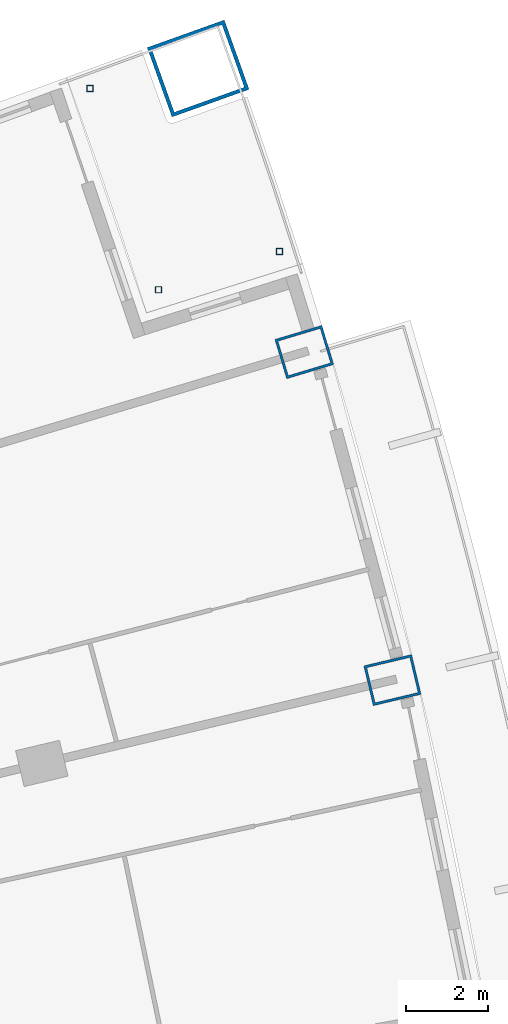
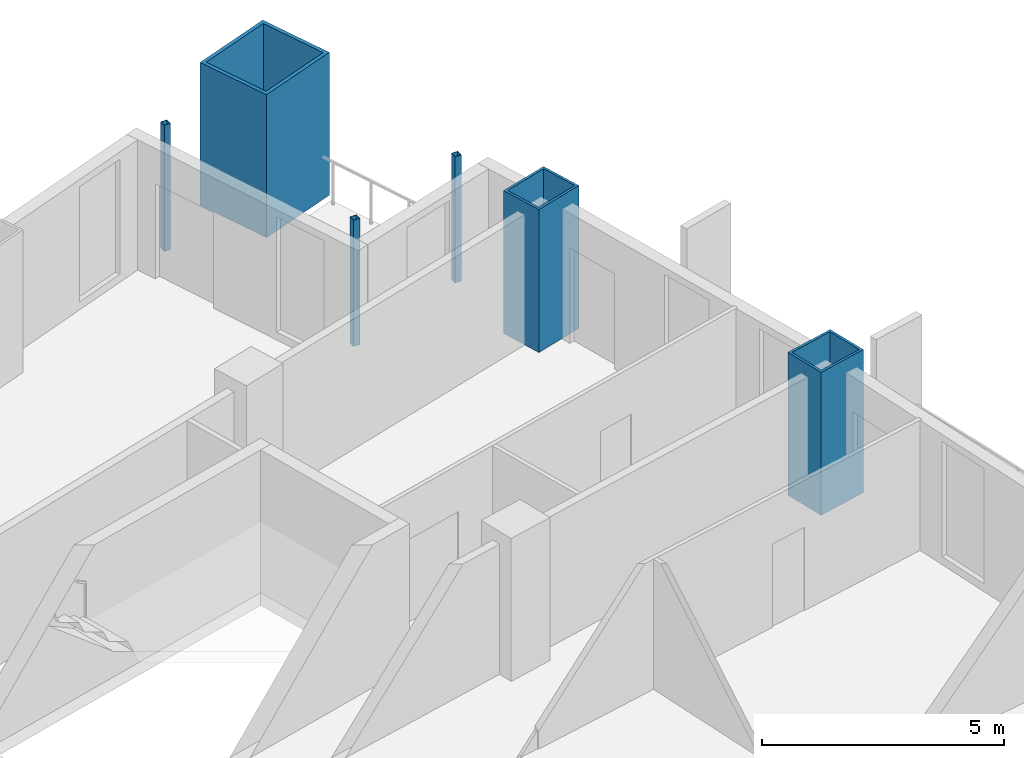
# One storey, part 11 of 25: 6 columns.
"""IFC4 building model written with IfcOpenShell, lengths in metres."""

from ifc_helpers import new_model, si_unit, direction, frame, origin, origin_2d, place, context, subcontext, project, spatial, hollow_rectangle, extrude, material, material_profile, profile_set, type_object, element, save


model = new_model("IFC4")

# Units and contexts
model_context = context("Model", 3, precision=1e-05, world=origin(), true_north=direction((0.0, 1.0)))
body_context = subcontext(model_context, "Body", "Model", "MODEL_VIEW")
ifc_project = project(units=[si_unit("LENGTHUNIT", "METRE"), si_unit("AREAUNIT", "SQUARE_METRE"), si_unit("VOLUMEUNIT", "CUBIC_METRE"), si_unit("PLANEANGLEUNIT", "RADIAN"), si_unit("MASSUNIT", "GRAM", prefix="KILO")], contexts=[model_context])

# Site, building, storey
site_placement = place(None, origin())
site = spatial("IfcSite", under=ifc_project, at=site_placement, CompositionType="ELEMENT")
building_placement = place(site_placement, origin())
building = spatial("IfcBuilding", under=site, at=building_placement, Name="Alderwake Tower", CompositionType="ELEMENT")
storey_placement = place(building_placement, frame((0.0, 0.0, 68.0)))
storey = spatial("IfcBuildingStorey", under=building, at=storey_placement, Name="L16", CompositionType="ELEMENT", Elevation=68.0)

# Columns
ifc_material_1 = material(Name="Steel ASTM A500 Grade C", Category="steel")
ifc_material_profile_1 = material_profile(ifc_material_1, hollow_rectangle(XDim=0.15234375, YDim=0.15234375, WallThickness=0.0087890625, at=origin_2d()), Name="HSS6X6X3/8")
ifc_profile_set_1 = profile_set([ifc_material_profile_1], Name="Steel ASTM A500 Grade C")
column_type_1 = type_object("IfcColumnType", Name="Light post HSS6X6X3/8", PredefinedType="COLUMN", material=ifc_profile_set_1)
for number, where, z_axis, x_axis, name in (
    (1, (55.590087890625, 104.34521484375, 0.0), (0.0, 0.0, 1.0), (1.0, 0.0, 0.0), "Terrace post FN1"),
    (2, (50.961181640625, 108.32568359375, 0.0), (0.0, 0.0, 1.0), (1.0, 0.0, 0.0), "Terrace post FN2"),
    (3, (52.634521484375, 103.41064453125, 0.0), (0.0, 0.0, 1.0), (1.0, 0.0, 0.0), "Terrace post FN3"),
):
    element("IfcColumn", number, at=place(storey_placement, frame(where, z_axis=z_axis, x_axis=x_axis)), inside=storey, type_object=column_type_1, Name=name, PredefinedType="COLUMN", context=body_context, shape_type="SweptSolid", body=[
        extrude(hollow_rectangle(XDim=0.15234375, YDim=0.15234375, WallThickness=0.0087890625, at=origin_2d()), origin(), (0.0, 0.0, 1.0), 3.179931640625),
    ])
ifc_material_2 = material(Name="Steel ASTM A572 Grade 50 concrete filled C70/85", Category="concrete")
ifc_material_profile_2 = material_profile(ifc_material_2, hollow_rectangle(XDim=1.800048828125, YDim=2.0, WallThickness=0.090087890625, at=origin_2d()), Name="BOX 2000X1800X90")
ifc_profile_set_2 = profile_set([ifc_material_profile_2], Name="Steel ASTM A572 Grade 50 concrete filled C70/85")
column_type_2 = type_object("IfcColumnType", Name="Mega column Z1", PredefinedType="COLUMN", material=ifc_profile_set_2)
column_placement = place(storey_placement, frame((53.602294921875, 108.8125, 0.0), z_axis=(0.0, 0.0, 1.0), x_axis=(-0.336945725149, 0.941524072079, 0.0)))
element("IfcColumn", 4, at=column_placement, inside=storey, type_object=column_type_2, Name="Column R13-C5", PredefinedType="COLUMN", context=body_context, shape_type="SweptSolid", body=[
    extrude(hollow_rectangle(XDim=1.800048828125, YDim=2.0, WallThickness=0.090087890625, at=origin_2d()), origin(), (0.0, 0.0, 1.0), 3.60009765625),
])
ifc_material_3 = material(Name="Steel ASTM A572 Grade 50 concrete filled C70/85", Category="concrete")
ifc_material_profile_3 = material_profile(ifc_material_3, hollow_rectangle(XDim=1.0, YDim=1.199951171875, WallThickness=0.06005859375, at=origin_2d()), Name="BOX 1200X1000X60")
ifc_profile_set_3 = profile_set([ifc_material_profile_3], Name="Steel ASTM A572 Grade 50 concrete filled C70/85")
column_type_3 = type_object("IfcColumnType", Name="Perimeter column Z1", PredefinedType="COLUMN", material=ifc_profile_set_3)
for number, where, z_axis, x_axis, name in (
    (5, (58.346435546875, 93.879638671875, 0.0), (0.0, 0.0, 1.0), (-0.231221547198, 0.972901123502, 0.0), "Column R11-C5"),
    (6, (56.1943359375, 101.889404296875, 0.0), (0.0, 0.0, 1.0), (-0.287549418125, 0.957765802342, 0.0), "Column R12-C5"),
):
    element("IfcColumn", number, at=place(storey_placement, frame(where, z_axis=z_axis, x_axis=x_axis)), inside=storey, type_object=column_type_3, Name=name, PredefinedType="COLUMN", context=body_context, shape_type="SweptSolid", body=[
        extrude(hollow_rectangle(XDim=1.0, YDim=1.199951171875, WallThickness=0.06005859375, at=origin_2d()), origin(), (0.0, 0.0, 1.0), 3.60009765625),
    ])

save(model, "model.ifc")
